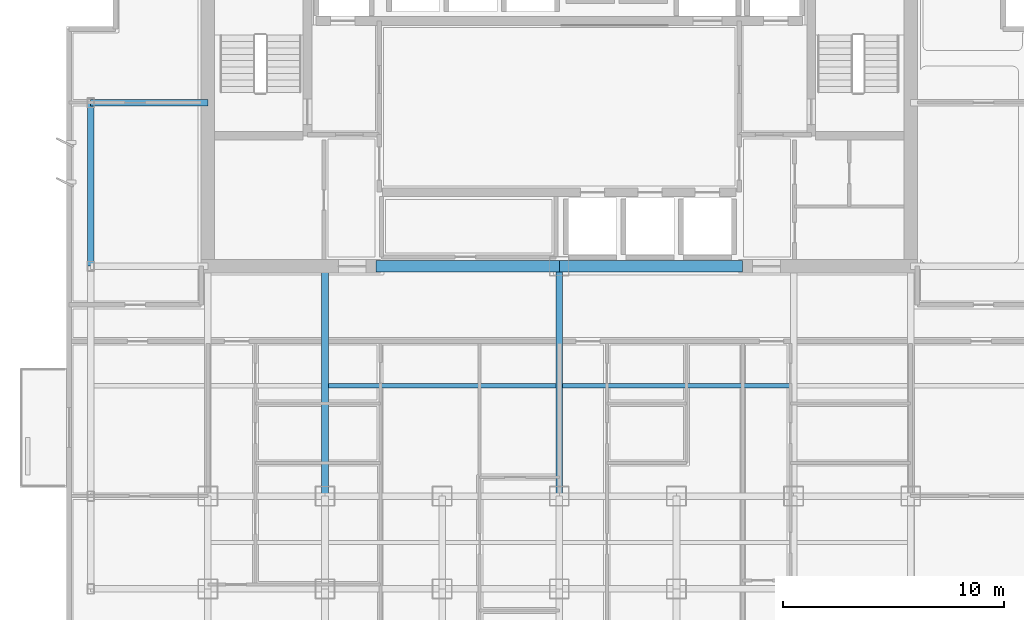
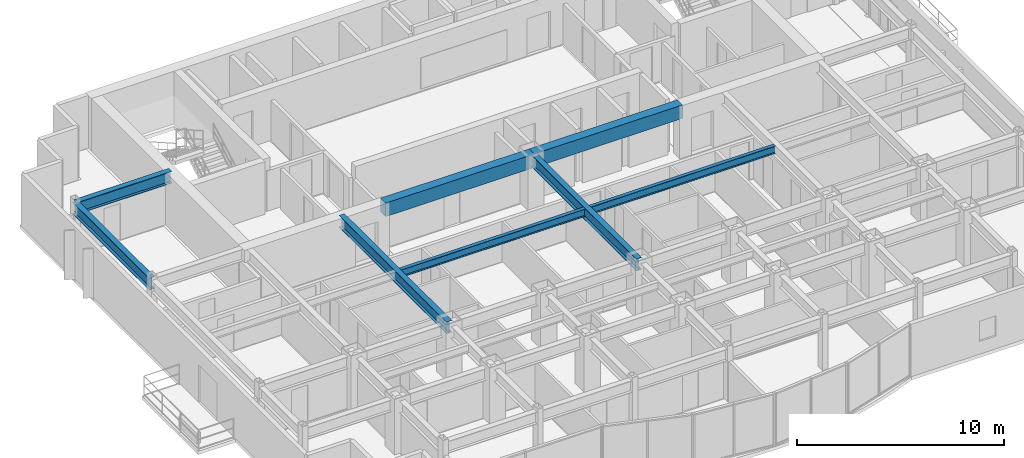
# One storey, part 3 of 11: 8 beams.
"""IFC4 building model written with IfcOpenShell, lengths in metres."""

from ifc_helpers import new_model, si_unit, direction, frame, origin, origin_2d, place, context, subcontext, project, spatial, rectangle, i_section, extrude, material, material_profile, profile_set, type_object, element, save


model = new_model("IFC4")

# Units and contexts
model_context = context("Model", 3, precision=1e-05, world=origin(), true_north=direction((0.0, 1.0)))
body_context = subcontext(model_context, "Body", "Model", "MODEL_VIEW")
ifc_project = project(units=[si_unit("LENGTHUNIT", "METRE"), si_unit("AREAUNIT", "SQUARE_METRE"), si_unit("VOLUMEUNIT", "CUBIC_METRE"), si_unit("PLANEANGLEUNIT", "RADIAN"), si_unit("MASSUNIT", "GRAM", prefix="KILO")], contexts=[model_context])

# Site, building, storey
site_placement = place(None, origin())
site = spatial("IfcSite", under=ifc_project, at=site_placement, CompositionType="ELEMENT")
building_placement = place(site_placement, origin())
building = spatial("IfcBuilding", under=site, at=building_placement, Name="Qianlan Lanfeng Residences", CompositionType="ELEMENT")
storey_placement = place(building_placement, frame((0.0, 0.0, 155.699951171875)))
storey = spatial("IfcBuildingStorey", under=building, at=storey_placement, Name="L42", CompositionType="ELEMENT", Elevation=155.699951171875)

# Beams
ifc_material_1 = material(Name="Steel SN490B", Category="steel")
ifc_material_profile_1 = material_profile(ifc_material_1, i_section(OverallWidth=0.300048828125, OverallDepth=0.699951171875, WebThickness=0.012939453125, FlangeThickness=0.02392578125, at=origin_2d()), Name="H 700x300x13x24")
ifc_profile_set_1 = profile_set([ifc_material_profile_1], Name="Steel SN490B")
beam_type_1 = type_object("IfcBeamType", Name="G-750", PredefinedType="BEAM", material=ifc_profile_set_1)
beam_1_placement = place(storey_placement, frame((5.300048828125, 32.60009765625, 2.75), z_axis=(1.0, 0.0, 0.0), x_axis=(0.0, 1.0, 0.0)))
element("IfcBeam", 1, at=beam_1_placement, inside=storey, type_object=beam_type_1, Name="Structural beam G-750", PredefinedType="BEAM", context=body_context, shape_type="SweptSolid", body=[
    extrude(i_section(OverallWidth=0.300048828125, OverallDepth=0.699951171875, WebThickness=0.012939453125, FlangeThickness=0.02392578125, at=origin_2d()), origin(), (0.0, 0.0, 1.0), 5.300048828125),
])
for number, where, z_axis, x_axis, name in (
    (2, (15.89990234375, 14.800048828125, 2.75), (0.0, 1.0, 0.0), (-1.0, 0.0, 0.0), "Structural beam G-750"),
    (3, (26.5, 14.800048828125, 2.75), (0.0, 1.0, 0.0), (-1.0, 0.0, 0.0), "Structural beam G-750"),
):
    element("IfcBeam", number, at=place(storey_placement, frame(where, z_axis=z_axis, x_axis=x_axis)), inside=storey, type_object=beam_type_1, Name=name, PredefinedType="BEAM", context=body_context, shape_type="SweptSolid", body=[
        extrude(i_section(OverallWidth=0.300048828125, OverallDepth=0.699951171875, WebThickness=0.012939453125, FlangeThickness=0.02392578125, at=origin_2d()), origin(), (0.0, 0.0, 1.0), 10.39990234375),
    ])
ifc_material_profile_2 = material_profile(ifc_material_1, i_section(OverallWidth=0.199951171875, OverallDepth=0.449951171875, WebThickness=0.009033203125, FlangeThickness=0.013916015625, at=origin_2d()), Name="H 450x200x9x14")
ifc_profile_set_2 = profile_set([ifc_material_profile_2], Name="Steel SN490B")
beam_type_2 = type_object("IfcBeamType", Name="J-450", PredefinedType="JOIST", material=ifc_profile_set_2)
for number, where, z_axis, x_axis, name in (
    (4, (16.050048828125, 19.800048828125, 2.875), (1.0, 0.0, 0.0), (0.0, 1.0, 0.0), "Structural beam J-450"),
    (5, (26.64990234375, 19.800048828125, 2.875), (1.0, 0.0, 0.0), (0.0, 1.0, 0.0), "Structural beam J-450"),
):
    element("IfcBeam", number, at=place(storey_placement, frame(where, z_axis=z_axis, x_axis=x_axis)), inside=storey, type_object=beam_type_2, Name=name, PredefinedType="JOIST", context=body_context, shape_type="SweptSolid", body=[
        extrude(i_section(OverallWidth=0.199951171875, OverallDepth=0.449951171875, WebThickness=0.009033203125, FlangeThickness=0.013916015625, at=origin_2d()), origin(), (0.0, 0.0, 1.0), 10.300048828125),
    ])
ifc_material_2 = material(Name="Concrete C49", Category="concrete")
ifc_material_profile_3 = material_profile(ifc_material_2, rectangle(XDim=0.5, YDim=0.800048828125, at=origin_2d()), Name="RC 500x800")
ifc_profile_set_3 = profile_set([ifc_material_profile_3], Name="Concrete C49")
beam_type_3 = type_object("IfcBeamType", Name="LB-RC750", PredefinedType="BEAM", material=ifc_profile_set_3)
for number, where, z_axis, x_axis, name in (
    (6, (18.199951171875, 25.199951171875, 2.699951171875), (1.0, 0.0, 0.0), (0.0, 1.0, 0.0), "L42 Core Coupling Beam W"),
    (7, (26.5, 25.199951171875, 2.699951171875), (1.0, 0.0, 0.0), (0.0, 1.0, 0.0), "L42 Core Coupling Beam E"),
):
    element("IfcBeam", number, at=place(storey_placement, frame(where, z_axis=z_axis, x_axis=x_axis)), inside=storey, type_object=beam_type_3, Name=name, PredefinedType="BEAM", context=body_context, shape_type="SweptSolid", body=[
        extrude(rectangle(XDim=0.5, YDim=0.800048828125, at=origin_2d()), origin(), (0.0, 0.0, 1.0), 8.300048828125),
    ])
ifc_material_profile_4 = material_profile(ifc_material_1, i_section(OverallWidth=0.300048828125, OverallDepth=0.699951171875, WebThickness=0.012939453125, FlangeThickness=0.02392578125, at=origin_2d()), Name="H 700x300x13x24")
ifc_profile_set_4 = profile_set([ifc_material_profile_4], Name="Steel SN490B")
beam_type_4 = type_object("IfcBeamType", Name="SG-750", PredefinedType="SPANDREL", material=ifc_profile_set_4)
beam_2_placement = place(storey_placement, frame((5.300048828125, 25.199951171875, 2.739990234375), z_axis=(0.0, 1.0, 0.0), x_axis=(-1.0, 0.0, 0.0)))
element("IfcBeam", 8, at=beam_2_placement, inside=storey, type_object=beam_type_4, Name="Structural beam SG-750", PredefinedType="SPANDREL", context=body_context, shape_type="SweptSolid", body=[
    extrude(i_section(OverallWidth=0.300048828125, OverallDepth=0.699951171875, WebThickness=0.012939453125, FlangeThickness=0.02392578125, at=origin_2d()), origin(), (0.0, 0.0, 1.0), 7.400146484375),
])

save(model, "model.ifc")
